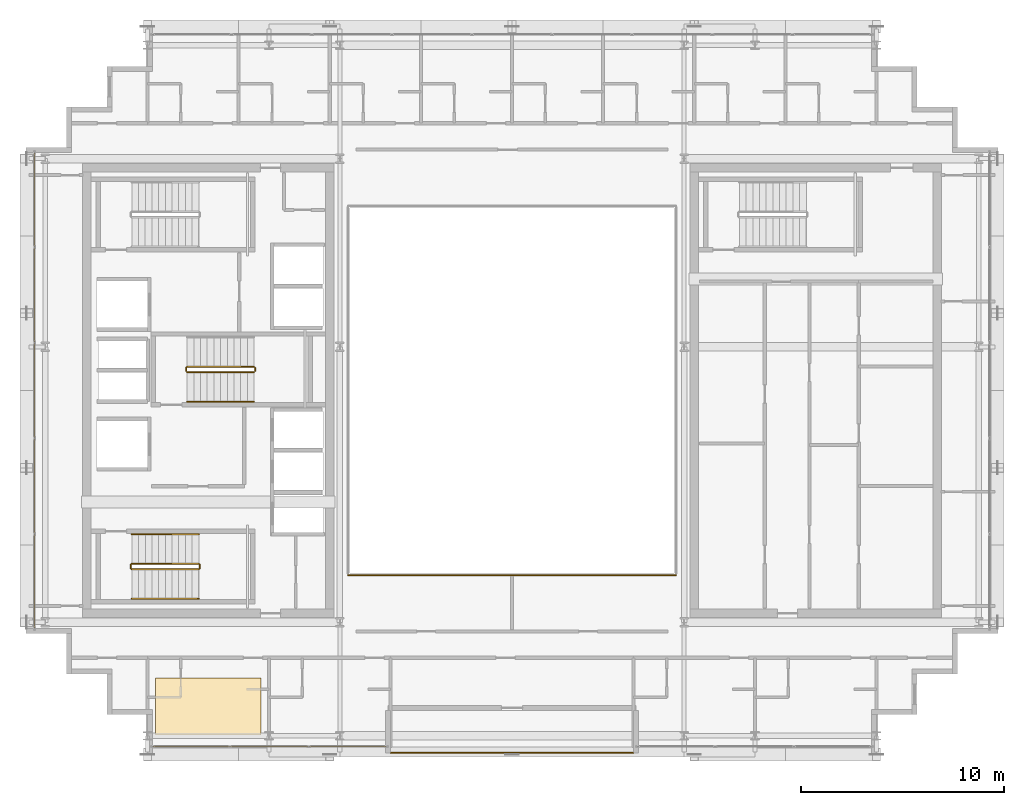
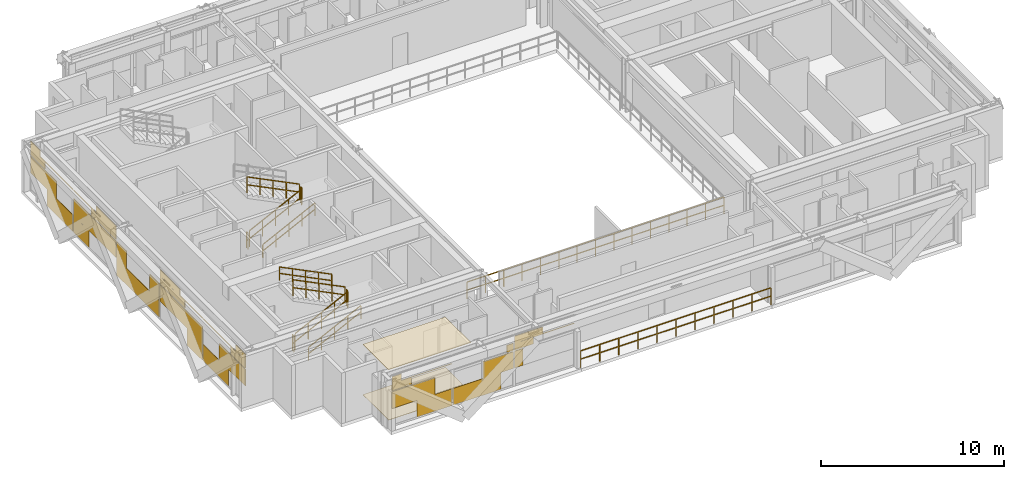
# One storey, part 25 of 28: 13 railings, 4 coverings.
"""IFC4 building model written with IfcOpenShell, lengths in metres."""

from ifc_helpers import new_model, si_unit, direction, frame, origin, origin_2d, place, context, subcontext, project, spatial, polyline, rectangle, outline, extrude, material, layer, layer_set, type_object, element, save


model = new_model("IFC4")

# Units and contexts
model_context = context("Model", 3, precision=1e-05, world=origin(), true_north=direction((0.0, 1.0)))
body_context = subcontext(model_context, "Body", "Model", "MODEL_VIEW")
ifc_project = project(units=[si_unit("LENGTHUNIT", "METRE"), si_unit("AREAUNIT", "SQUARE_METRE"), si_unit("VOLUMEUNIT", "CUBIC_METRE"), si_unit("PLANEANGLEUNIT", "RADIAN"), si_unit("MASSUNIT", "GRAM", prefix="KILO")], contexts=[model_context])

# Site, building, storey
site_placement = place(None, origin())
site = spatial("IfcSite", under=ifc_project, at=site_placement, CompositionType="ELEMENT")
building_placement = place(site_placement, origin())
building = spatial("IfcBuilding", under=site, at=building_placement, Name="Ocotamira Hotel", CompositionType="ELEMENT")
storey_placement = place(building_placement, frame((0.0, 0.0, 240.0)))
storey = spatial("IfcBuildingStorey", under=building, at=storey_placement, Name="L60", CompositionType="ELEMENT", Elevation=240.0)

# Coverings
ifc_material_1 = material(Name="Perforated acoustic gypsum ceiling board", Category="gypsum")
ifc_layer_1 = layer(ifc_material_1, 0.02490234375)
ifc_layer_set_1 = layer_set([ifc_layer_1], Name="Perforated acoustic gypsum ceiling board")
covering_type_1 = type_object("IfcCoveringType", Name="COV-CEIL-25", PredefinedType="CEILING", material=ifc_layer_set_1)
covering_1_placement = place(storey_placement, frame((0.0, 0.0, 3.35498046875)))
element("IfcCovering", 1, at=covering_1_placement, inside=storey, type_object=covering_type_1, Name="L60 Acoustic Ceiling", PredefinedType="CEILING", context=body_context, shape_type="SweptSolid", body=[
    extrude(outline(polyline([(14.39990234375, 9.0), (19.60009765625, 9.0), (19.60009765625, 11.800048828125), (14.39990234375, 11.800048828125), (14.39990234375, 9.0)])), origin(), (0.0, 0.0, 1.0), 0.02490234375),
])
ifc_material_2 = material(Name="Honed desert travertine stone flooring", Category="masonry")
ifc_layer_2 = layer(ifc_material_2, 0.030029296875)
ifc_layer_set_2 = layer_set([ifc_layer_2], Name="Honed desert travertine stone flooring")
covering_type_2 = type_object("IfcCoveringType", Name="COV-FLOR-30", PredefinedType="FLOORING", material=ifc_layer_set_2)
covering_2_placement = place(storey_placement, origin())
element("IfcCovering", 2, at=covering_2_placement, inside=storey, type_object=covering_type_2, Name="L60 Honed Stone Floor Finish", PredefinedType="FLOORING", context=body_context, shape_type="SweptSolid", body=[
    extrude(outline(polyline([(14.39990234375, 9.0), (19.60009765625, 9.0), (19.60009765625, 11.800048828125), (14.39990234375, 11.800048828125), (14.39990234375, 9.0)])), origin(), (0.0, 0.0, 1.0), 0.030029296875),
])
ifc_material_3 = material(Name="Insulated pale-metal aluminium spandrel panel", Category="aluminium")
ifc_layer_3 = layer(ifc_material_3, 0.044921875)
ifc_layer_set_3 = layer_set([ifc_layer_3], Name="Insulated pale-metal aluminium spandrel panel")
covering_type_3 = type_object("IfcCoveringType", Name="COV-INFILL-45", PredefinedType="CLADDING", material=ifc_layer_set_3)
covering_3_placement = place(storey_placement, origin())
element("IfcCovering", 3, at=covering_3_placement, inside=storey, type_object=covering_type_3, Name="L60 Curtain Wall Infill CW-5 CW-L60-S1", PredefinedType="CLADDING", context=body_context, shape_type="SweptSolid", body=[
    extrude(rectangle(XDim=2.69970703125, YDim=0.044921875, at=origin_2d()), frame((15.63037109375, 8.419921875, 1.1943359375), z_axis=(0.0, 0.0, 1.0), x_axis=(1.0, 0.0, 0.0)), (0.0, 0.0, 1.0), 1.117919921875),
    extrude(rectangle(XDim=2.182373046875, YDim=0.044921875, at=origin_2d()), frame((16.95166015625, 8.419921875, 0.07568359375), z_axis=(0.0, 0.0, 1.0), x_axis=(1.0, 0.0, 0.0)), (0.0, 0.0, 1.0), 1.117919921875),
    extrude(rectangle(XDim=1.20751953125, YDim=0.044921875, at=origin_2d()), frame((14.88427734375, 8.419921875, 2.3876953125), z_axis=(0.0, 0.0, 1.0), x_axis=(1.0, 0.0, 0.0)), (0.0, 0.0, 1.0), 0.449951171875),
    extrude(rectangle(XDim=3.76220703125, YDim=0.044921875, at=origin_2d()), frame((16.16162109375, 8.419921875, 2.8388671875), z_axis=(0.0, 0.0, 1.0), x_axis=(1.0, 0.0, 0.0)), (0.0, 0.0, 1.0), 0.032958984375),
    extrude(rectangle(XDim=0.601318359375, YDim=0.044921875, at=origin_2d()), frame((14.581298828125, 8.419921875, 2.872802734375), z_axis=(0.0, 0.0, 1.0), x_axis=(1.0, 0.0, 0.0)), (0.0, 0.0, 1.0), 0.431640625),
    extrude(rectangle(XDim=3.015625, YDim=0.044921875, at=origin_2d()), frame((19.631591796875, 8.419921875, 0.07568359375), z_axis=(0.0, 0.0, 1.0), x_axis=(1.0, 0.0, 0.0)), (0.0, 0.0, 1.0), 1.117919921875),
    extrude(rectangle(XDim=1.90625, YDim=0.044921875, at=origin_2d()), frame((20.972900390625, 8.419921875, 1.1943359375), z_axis=(0.0, 0.0, 1.0), x_axis=(1.0, 0.0, 0.0)), (0.0, 0.0, 1.0), 1.117919921875),
    extrude(rectangle(XDim=0.4140625, YDim=0.044921875, at=origin_2d()), frame((21.718994140625, 8.419921875, 2.387939453125), z_axis=(0.0, 0.0, 1.0), x_axis=(1.0, 0.0, 0.0)), (0.0, 0.0, 1.0), 0.48388671875),
    extrude(rectangle(XDim=0.53076171875, YDim=0.044921875, at=origin_2d()), frame((22.2724609375, 8.419921875, 1.1943359375), z_axis=(0.0, 0.0, 1.0), x_axis=(1.0, 0.0, 0.0)), (0.0, 0.0, 1.0), 1.117919921875),
    extrude(rectangle(XDim=1.18798828125, YDim=0.044921875, at=origin_2d()), frame((22.601318359375, 8.419921875, 2.3876953125), z_axis=(0.0, 0.0, 1.0), x_axis=(1.0, 0.0, 0.0)), (0.0, 0.0, 1.0), 0.449951171875),
    extrude(rectangle(XDim=3.76220703125, YDim=0.044921875, at=origin_2d()), frame((23.88818359375, 8.419921875, 2.8388671875), z_axis=(0.0, 0.0, 1.0), x_axis=(1.0, 0.0, 0.0)), (0.0, 0.0, 1.0), 0.032958984375),
    extrude(rectangle(XDim=1.787353515625, YDim=0.044921875, at=origin_2d()), frame((22.90087890625, 8.419921875, 2.872802734375), z_axis=(0.0, 0.0, 1.0), x_axis=(1.0, 0.0, 0.0)), (0.0, 0.0, 1.0), 0.431640625),
])
covering_4_placement = place(storey_placement, origin())
element("IfcCovering", 4, at=covering_4_placement, inside=storey, type_object=covering_type_3, Name="L60 Curtain Wall Infill CW-5 CW-L60-W", PredefinedType="CLADDING", context=body_context, shape_type="SweptSolid", body=[
    extrude(rectangle(XDim=2.831787109375, YDim=0.044921875, at=origin_2d()), frame((8.419921875, 15.6962890625, 1.1943359375), z_axis=(0.0, 0.0, 1.0), x_axis=(0.0, 1.0, 0.0)), (0.0, 0.0, 1.0), 1.117919921875),
    extrude(rectangle(XDim=2.786376953125, YDim=0.044921875, at=origin_2d()), frame((8.419921875, 17.486328125, 0.07568359375), z_axis=(0.0, 0.0, 1.0), x_axis=(0.0, 1.0, 0.0)), (0.0, 0.0, 1.0), 1.117919921875),
    extrude(rectangle(XDim=1.56640625, YDim=0.044921875, at=origin_2d()), frame((8.419921875, 15.063720703125, 2.38818359375), z_axis=(0.0, 0.0, 1.0), x_axis=(0.0, 1.0, 0.0)), (0.0, 0.0, 1.0), 0.466552734375),
    extrude(rectangle(XDim=4.59912109375, YDim=0.044921875, at=origin_2d()), frame((8.419921875, 16.580078125, 2.85546875), z_axis=(0.0, 0.0, 1.0), x_axis=(0.0, 1.0, 0.0)), (0.0, 0.0, 1.0), 0.036376953125),
    extrude(rectangle(XDim=1.03076171875, YDim=0.044921875, at=origin_2d()), frame((8.419921875, 14.7958984375, 2.89306640625), z_axis=(0.0, 0.0, 1.0), x_axis=(0.0, 1.0, 0.0)), (0.0, 0.0, 1.0), 0.41162109375),
    extrude(rectangle(XDim=1.6796875, YDim=0.044921875, at=origin_2d()), frame((8.419921875, 19.80029296875, 0.07568359375), z_axis=(0.0, 0.0, 1.0), x_axis=(0.0, 1.0, 0.0)), (0.0, 0.0, 1.0), 1.117919921875),
    extrude(rectangle(XDim=4.638916015625, YDim=0.044921875, at=origin_2d()), frame((8.419921875, 21.280029296875, 1.1943359375), z_axis=(0.0, 0.0, 1.0), x_axis=(0.0, 1.0, 0.0)), (0.0, 0.0, 1.0), 1.117919921875),
    extrude(rectangle(XDim=4.638916015625, YDim=0.044921875, at=origin_2d()), frame((8.419921875, 21.280029296875, 2.85546875), z_axis=(0.0, 0.0, 1.0), x_axis=(0.0, 1.0, 0.0)), (0.0, 0.0, 1.0), 0.036376953125),
    extrude(rectangle(XDim=2.712890625, YDim=0.044921875, at=origin_2d()), frame((8.419921875, 22.242919921875, 2.38818359375), z_axis=(0.0, 0.0, 1.0), x_axis=(0.0, 1.0, 0.0)), (0.0, 0.0, 1.0), 0.466552734375),
    extrude(rectangle(XDim=2.177490234375, YDim=0.044921875, at=origin_2d()), frame((8.419921875, 22.5107421875, 2.89306640625), z_axis=(0.0, 0.0, 1.0), x_axis=(0.0, 1.0, 0.0)), (0.0, 0.0, 1.0), 0.41162109375),
    extrude(rectangle(XDim=4.638916015625, YDim=0.044921875, at=origin_2d()), frame((8.419921875, 26.0, 0.07568359375), z_axis=(0.0, 0.0, 1.0), x_axis=(0.0, 1.0, 0.0)), (0.0, 0.0, 1.0), 1.117919921875),
    extrude(rectangle(XDim=1.065185546875, YDim=0.044921875, at=origin_2d()), frame((8.419921875, 24.213134765625, 1.1943359375), z_axis=(0.0, 0.0, 1.0), x_axis=(0.0, 1.0, 0.0)), (0.0, 0.0, 1.0), 1.117919921875),
    extrude(rectangle(XDim=1.065185546875, YDim=0.044921875, at=origin_2d()), frame((8.419921875, 27.786865234375, 1.1943359375), z_axis=(0.0, 0.0, 1.0), x_axis=(0.0, 1.0, 0.0)), (0.0, 0.0, 1.0), 1.117919921875),
    extrude(rectangle(XDim=4.638916015625, YDim=0.044921875, at=origin_2d()), frame((8.419921875, 30.719970703125, 1.1943359375), z_axis=(0.0, 0.0, 1.0), x_axis=(0.0, 1.0, 0.0)), (0.0, 0.0, 1.0), 1.117919921875),
    extrude(rectangle(XDim=1.6796875, YDim=0.044921875, at=origin_2d()), frame((8.419921875, 32.19970703125, 0.07568359375), z_axis=(0.0, 0.0, 1.0), x_axis=(0.0, 1.0, 0.0)), (0.0, 0.0, 1.0), 1.117919921875),
    extrude(rectangle(XDim=2.712890625, YDim=0.044921875, at=origin_2d()), frame((8.419921875, 29.757080078125, 2.38818359375), z_axis=(0.0, 0.0, 1.0), x_axis=(0.0, 1.0, 0.0)), (0.0, 0.0, 1.0), 0.466552734375),
    extrude(rectangle(XDim=4.638916015625, YDim=0.044921875, at=origin_2d()), frame((8.419921875, 30.719970703125, 2.85546875), z_axis=(0.0, 0.0, 1.0), x_axis=(0.0, 1.0, 0.0)), (0.0, 0.0, 1.0), 0.036376953125),
    extrude(rectangle(XDim=2.177490234375, YDim=0.044921875, at=origin_2d()), frame((8.419921875, 29.4892578125, 2.89306640625), z_axis=(0.0, 0.0, 1.0), x_axis=(0.0, 1.0, 0.0)), (0.0, 0.0, 1.0), 0.41162109375),
    extrude(rectangle(XDim=2.786376953125, YDim=0.044921875, at=origin_2d()), frame((8.419921875, 34.513671875, 0.07568359375), z_axis=(0.0, 0.0, 1.0), x_axis=(0.0, 1.0, 0.0)), (0.0, 0.0, 1.0), 1.117919921875),
    extrude(rectangle(XDim=2.831787109375, YDim=0.044921875, at=origin_2d()), frame((8.419921875, 36.3037109375, 1.1943359375), z_axis=(0.0, 0.0, 1.0), x_axis=(0.0, 1.0, 0.0)), (0.0, 0.0, 1.0), 1.117919921875),
    extrude(rectangle(XDim=4.59912109375, YDim=0.044921875, at=origin_2d()), frame((8.419921875, 35.419921875, 2.85546875), z_axis=(0.0, 0.0, 1.0), x_axis=(0.0, 1.0, 0.0)), (0.0, 0.0, 1.0), 0.036376953125),
    extrude(rectangle(XDim=1.56640625, YDim=0.044921875, at=origin_2d()), frame((8.419921875, 36.936279296875, 2.38818359375), z_axis=(0.0, 0.0, 1.0), x_axis=(0.0, 1.0, 0.0)), (0.0, 0.0, 1.0), 0.466552734375),
    extrude(rectangle(XDim=1.03076171875, YDim=0.044921875, at=origin_2d()), frame((8.419921875, 37.2041015625, 2.89306640625), z_axis=(0.0, 0.0, 1.0), x_axis=(0.0, 1.0, 0.0)), (0.0, 0.0, 1.0), 0.41162109375),
])

# Railings
ifc_material_4 = material(Name="Laminated glass and pale-metal balustrade", Category="glass")
railing_type_1 = type_object("IfcRailingType", Name="RL-BAL-1150", PredefinedType="BALUSTRADE", material=ifc_material_4)
railing_1_placement = place(storey_placement, frame((26.0, 8.10009765625, 0.0)))
element("IfcRailing", 5, at=railing_1_placement, inside=storey, type_object=railing_type_1, Name="L60 Sky Terrace Balustrade 1", PredefinedType="BALUSTRADE", context=body_context, shape_type="SweptSolid", body=[
    extrude(rectangle(XDim=0.048095703125, YDim=0.048095703125, at=origin_2d()), frame((0.0, 0.0, 1.1259765625), z_axis=(1.0, 0.0, 0.0), x_axis=(0.0, 1.0, 0.0)), (0.0, 0.0, 1.0), 12.0),
    extrude(rectangle(XDim=0.048095703125, YDim=0.048095703125, at=origin_2d()), frame((0.0, 0.0, 0.574951171875), z_axis=(1.0, 0.0, 0.0), x_axis=(0.0, 1.0, 0.0)), (0.0, 0.0, 1.0), 12.0),
    extrude(rectangle(XDim=0.0419921875, YDim=0.0419921875, at=origin_2d()), origin(), (0.0, 0.0, 1.0), 1.101806640625),
    extrude(rectangle(XDim=0.0419921875, YDim=0.0419921875, at=origin_2d()), frame((1.199951171875, 0.0, 0.0)), (0.0, 0.0, 1.0), 1.101806640625),
    extrude(rectangle(XDim=0.0419921875, YDim=0.0419921875, at=origin_2d()), frame((2.39990234375, 0.0, 0.0)), (0.0, 0.0, 1.0), 1.101806640625),
    extrude(rectangle(XDim=0.0419921875, YDim=0.0419921875, at=origin_2d()), frame((3.60009765625, 0.0, 0.0)), (0.0, 0.0, 1.0), 1.101806640625),
    extrude(rectangle(XDim=0.0419921875, YDim=0.0419921875, at=origin_2d()), frame((4.800048828125, 0.0, 0.0)), (0.0, 0.0, 1.0), 1.101806640625),
    extrude(rectangle(XDim=0.0419921875, YDim=0.0419921875, at=origin_2d()), frame((6.0, 0.0, 0.0)), (0.0, 0.0, 1.0), 1.101806640625),
    extrude(rectangle(XDim=0.0419921875, YDim=0.0419921875, at=origin_2d()), frame((7.199951171875, 0.0, 0.0)), (0.0, 0.0, 1.0), 1.101806640625),
    extrude(rectangle(XDim=0.0419921875, YDim=0.0419921875, at=origin_2d()), frame((8.39990234375, 0.0, 0.0)), (0.0, 0.0, 1.0), 1.101806640625),
    extrude(rectangle(XDim=0.0419921875, YDim=0.0419921875, at=origin_2d()), frame((9.60009765625, 0.0, 0.0)), (0.0, 0.0, 1.0), 1.101806640625),
    extrude(rectangle(XDim=0.0419921875, YDim=0.0419921875, at=origin_2d()), frame((10.800048828125, 0.0, 0.0)), (0.0, 0.0, 1.0), 1.101806640625),
    extrude(rectangle(XDim=0.0419921875, YDim=0.0419921875, at=origin_2d()), frame((12.0, 0.0, 0.0)), (0.0, 0.0, 1.0), 1.101806640625),
])
ifc_material_5 = material(Name="Painted steel stair guardrail", Category="steel")
railing_type_2 = type_object("IfcRailingType", Name="RL-EDGE-1150", PredefinedType="GUARDRAIL", material=ifc_material_5)
railing_2_placement = place(storey_placement, frame((23.89990234375, 16.8798828125, 0.0)))
element("IfcRailing", 6, at=railing_2_placement, inside=storey, type_object=railing_type_2, Name="L60 Central Atrium Edge Guardrail S", PredefinedType="GUARDRAIL", context=body_context, shape_type="SweptSolid", body=[
    extrude(rectangle(XDim=0.048095703125, YDim=0.048095703125, at=origin_2d()), frame((0.0, 0.0, 1.1259765625), z_axis=(1.0, 0.0, 0.0), x_axis=(0.0, 1.0, 0.0)), (0.0, 0.0, 1.0), 16.2001953125),
    extrude(rectangle(XDim=0.048095703125, YDim=0.048095703125, at=origin_2d()), frame((0.0, 0.0, 0.574951171875), z_axis=(1.0, 0.0, 0.0), x_axis=(0.0, 1.0, 0.0)), (0.0, 0.0, 1.0), 16.2001953125),
    extrude(rectangle(XDim=0.0419921875, YDim=0.0419921875, at=origin_2d()), origin(), (0.0, 0.0, 1.0), 1.101806640625),
    extrude(rectangle(XDim=0.0419921875, YDim=0.0419921875, at=origin_2d()), frame((1.1572265625, 0.0, 0.0)), (0.0, 0.0, 1.0), 1.101806640625),
    extrude(rectangle(XDim=0.0419921875, YDim=0.0419921875, at=origin_2d()), frame((2.314208984375, 0.0, 0.0)), (0.0, 0.0, 1.0), 1.101806640625),
    extrude(rectangle(XDim=0.0419921875, YDim=0.0419921875, at=origin_2d()), frame((3.471435546875, 0.0, 0.0)), (0.0, 0.0, 1.0), 1.101806640625),
    extrude(rectangle(XDim=0.0419921875, YDim=0.0419921875, at=origin_2d()), frame((4.628662109375, 0.0, 0.0)), (0.0, 0.0, 1.0), 1.101806640625),
    extrude(rectangle(XDim=0.0419921875, YDim=0.0419921875, at=origin_2d()), frame((5.785888671875, 0.0, 0.0)), (0.0, 0.0, 1.0), 1.101806640625),
    extrude(rectangle(XDim=0.0419921875, YDim=0.0419921875, at=origin_2d()), frame((6.94287109375, 0.0, 0.0)), (0.0, 0.0, 1.0), 1.101806640625),
    extrude(rectangle(XDim=0.0419921875, YDim=0.0419921875, at=origin_2d()), frame((8.10009765625, 0.0, 0.0)), (0.0, 0.0, 1.0), 1.101806640625),
    extrude(rectangle(XDim=0.0419921875, YDim=0.0419921875, at=origin_2d()), frame((9.25732421875, 0.0, 0.0)), (0.0, 0.0, 1.0), 1.101806640625),
    extrude(rectangle(XDim=0.0419921875, YDim=0.0419921875, at=origin_2d()), frame((10.414306640625, 0.0, 0.0)), (0.0, 0.0, 1.0), 1.101806640625),
    extrude(rectangle(XDim=0.0419921875, YDim=0.0419921875, at=origin_2d()), frame((11.571533203125, 0.0, 0.0)), (0.0, 0.0, 1.0), 1.101806640625),
    extrude(rectangle(XDim=0.0419921875, YDim=0.0419921875, at=origin_2d()), frame((12.728759765625, 0.0, 0.0)), (0.0, 0.0, 1.0), 1.101806640625),
    extrude(rectangle(XDim=0.0419921875, YDim=0.0419921875, at=origin_2d()), frame((13.885986328125, 0.0, 0.0)), (0.0, 0.0, 1.0), 1.101806640625),
    extrude(rectangle(XDim=0.0419921875, YDim=0.0419921875, at=origin_2d()), frame((15.04296875, 0.0, 0.0)), (0.0, 0.0, 1.0), 1.101806640625),
    extrude(rectangle(XDim=0.0419921875, YDim=0.0419921875, at=origin_2d()), frame((16.2001953125, 0.0, 0.0)), (0.0, 0.0, 1.0), 1.101806640625),
])
ifc_material_6 = material(Name="Brushed stainless steel handrail", Category="steel")
railing_type_3 = type_object("IfcRailingType", Name="RL-HAND-900", PredefinedType="HANDRAIL", material=ifc_material_6)
railing_3_placement = place(storey_placement, frame((13.22998046875, 15.719970703125, 0.327392578125)))
element("IfcRailing", 7, at=railing_3_placement, inside=storey, type_object=railing_type_3, Name="L60 ST-1 stair handrail 1", PredefinedType="HANDRAIL", context=body_context, shape_type="SweptSolid", body=[
    extrude(rectangle(XDim=0.048095703125, YDim=0.048095703125, at=origin_2d()), frame((0.0, 0.0, 0.8759765625), z_axis=(0.895920123917, 0.0, 0.444215186098), x_axis=(0.0, 1.0, 0.0)), (0.0, 0.0, 1.0), 3.683349609375),
    extrude(rectangle(XDim=0.048095703125, YDim=0.048095703125, at=origin_2d()), frame((0.0, 0.0, 0.449951171875), z_axis=(0.895920123917, 0.0, 0.444215186098), x_axis=(0.0, 1.0, 0.0)), (0.0, 0.0, 1.0), 3.683349609375),
    extrude(rectangle(XDim=0.0419921875, YDim=0.0419921875, at=origin_2d()), origin(), (0.0, 0.0, 1.0), 0.851806640625),
    extrude(rectangle(XDim=0.0419921875, YDim=0.0419921875, at=origin_2d()), frame((0.824951171875, 0.0, 0.4091796875)), (0.0, 0.0, 1.0), 0.851806640625),
    extrude(rectangle(XDim=0.0419921875, YDim=0.0419921875, at=origin_2d()), frame((1.64990234375, 0.0, 0.818115234375)), (0.0, 0.0, 1.0), 0.851806640625),
    extrude(rectangle(XDim=0.0419921875, YDim=0.0419921875, at=origin_2d()), frame((2.47509765625, 0.0, 1.22705078125)), (0.0, 0.0, 1.0), 0.851806640625),
    extrude(rectangle(XDim=0.0419921875, YDim=0.0419921875, at=origin_2d()), frame((3.300048828125, 0.0, 1.63623046875)), (0.0, 0.0, 1.0), 0.851806640625),
])
railing_4_placement = place(storey_placement, frame((16.530029296875, 18.89990234375, 2.127197265625)))
element("IfcRailing", 8, at=railing_4_placement, inside=storey, type_object=railing_type_3, Name="L60 ST-1 stair handrail 2", PredefinedType="HANDRAIL", context=body_context, shape_type="SweptSolid", body=[
    extrude(rectangle(XDim=0.048095703125, YDim=0.048095703125, at=origin_2d()), frame((0.0, 0.0, 0.8759765625), z_axis=(-0.895893744519, 0.0, 0.4442683857), x_axis=(0.0, -1.0, 0.0)), (0.0, 0.0, 1.0), 3.68359375),
    extrude(rectangle(XDim=0.048095703125, YDim=0.048095703125, at=origin_2d()), frame((0.0, 0.0, 0.449951171875), z_axis=(-0.895893744519, 0.0, 0.4442683857), x_axis=(0.0, -1.0, 0.0)), (0.0, 0.0, 1.0), 3.68359375),
    extrude(rectangle(XDim=0.0419921875, YDim=0.0419921875, at=origin_2d()), origin(), (0.0, 0.0, 1.0), 0.851806640625),
    extrude(rectangle(XDim=0.0419921875, YDim=0.0419921875, at=origin_2d()), frame((-0.824951171875, 0.0, 0.4091796875)), (0.0, 0.0, 1.0), 0.851806640625),
    extrude(rectangle(XDim=0.0419921875, YDim=0.0419921875, at=origin_2d()), frame((-1.64990234375, 0.0, 0.818359375)), (0.0, 0.0, 1.0), 0.851806640625),
    extrude(rectangle(XDim=0.0419921875, YDim=0.0419921875, at=origin_2d()), frame((-2.47509765625, 0.0, 1.227294921875)), (0.0, 0.0, 1.0), 0.851806640625),
    extrude(rectangle(XDim=0.0419921875, YDim=0.0419921875, at=origin_2d()), frame((-3.300048828125, 0.0, 1.636474609375)), (0.0, 0.0, 1.0), 0.851806640625),
])
railing_5_placement = place(storey_placement, frame((15.9599609375, 25.449951171875, 0.327392578125)))
element("IfcRailing", 9, at=railing_5_placement, inside=storey, type_object=railing_type_3, Name="L60 ST-3 stair handrail 1", PredefinedType="HANDRAIL", context=body_context, shape_type="SweptSolid", body=[
    extrude(rectangle(XDim=0.048095703125, YDim=0.048095703125, at=origin_2d()), frame((0.0, 0.0, 0.8759765625), z_axis=(0.895920123917, 0.0, 0.444215186098), x_axis=(0.0, 1.0, 0.0)), (0.0, 0.0, 1.0), 3.683349609375),
    extrude(rectangle(XDim=0.048095703125, YDim=0.048095703125, at=origin_2d()), frame((0.0, 0.0, 0.449951171875), z_axis=(0.895920123917, 0.0, 0.444215186098), x_axis=(0.0, 1.0, 0.0)), (0.0, 0.0, 1.0), 3.683349609375),
    extrude(rectangle(XDim=0.0419921875, YDim=0.0419921875, at=origin_2d()), origin(), (0.0, 0.0, 1.0), 0.851806640625),
    extrude(rectangle(XDim=0.0419921875, YDim=0.0419921875, at=origin_2d()), frame((0.824951171875, 0.0, 0.4091796875)), (0.0, 0.0, 1.0), 0.851806640625),
    extrude(rectangle(XDim=0.0419921875, YDim=0.0419921875, at=origin_2d()), frame((1.64990234375, 0.0, 0.818115234375)), (0.0, 0.0, 1.0), 0.851806640625),
    extrude(rectangle(XDim=0.0419921875, YDim=0.0419921875, at=origin_2d()), frame((2.47509765625, 0.0, 1.22705078125)), (0.0, 0.0, 1.0), 0.851806640625),
    extrude(rectangle(XDim=0.0419921875, YDim=0.0419921875, at=origin_2d()), frame((3.300048828125, 0.0, 1.63623046875)), (0.0, 0.0, 1.0), 0.851806640625),
])
railing_type_4 = type_object("IfcRailingType", Name="RL-STAIR-1100", PredefinedType="GUARDRAIL", material=ifc_material_5)
railing_6_placement = place(storey_placement, frame((13.22998046875, 17.179931640625, 0.16357421875)))
element("IfcRailing", 10, at=railing_6_placement, inside=storey, type_object=railing_type_4, Name="L60 ST-1 stair guard 1", PredefinedType="GUARDRAIL", context=body_context, shape_type="SweptSolid", body=[
    extrude(rectangle(XDim=0.048095703125, YDim=0.048095703125, at=origin_2d()), frame((0.0, 0.0, 1.076171875), z_axis=(0.895893744519, 0.0, 0.4442683857), x_axis=(0.0, 1.0, 0.0)), (0.0, 0.0, 1.0), 3.68359375),
    extrude(rectangle(XDim=0.048095703125, YDim=0.048095703125, at=origin_2d()), frame((0.0, 0.0, 0.550048828125), z_axis=(0.895893744519, 0.0, 0.4442683857), x_axis=(0.0, 1.0, 0.0)), (0.0, 0.0, 1.0), 3.68359375),
    extrude(rectangle(XDim=0.0419921875, YDim=0.0419921875, at=origin_2d()), origin(), (0.0, 0.0, 1.0), 1.052001953125),
    extrude(rectangle(XDim=0.0419921875, YDim=0.0419921875, at=origin_2d()), frame((0.824951171875, 0.0, 0.4091796875)), (0.0, 0.0, 1.0), 1.052001953125),
    extrude(rectangle(XDim=0.0419921875, YDim=0.0419921875, at=origin_2d()), frame((1.64990234375, 0.0, 0.818359375)), (0.0, 0.0, 1.0), 1.052001953125),
    extrude(rectangle(XDim=0.0419921875, YDim=0.0419921875, at=origin_2d()), frame((2.47509765625, 0.0, 1.227294921875)), (0.0, 0.0, 1.0), 1.052001953125),
    extrude(rectangle(XDim=0.0419921875, YDim=0.0419921875, at=origin_2d()), frame((3.300048828125, 0.0, 1.636474609375)), (0.0, 0.0, 1.0), 1.052001953125),
])
railing_7_placement = place(storey_placement, frame((16.580078125, 17.22998046875, 1.800048828125)))
element("IfcRailing", 11, at=railing_7_placement, inside=storey, type_object=railing_type_4, Name="L60 ST-1 stair guard 2", PredefinedType="GUARDRAIL", context=body_context, shape_type="SweptSolid", body=[
    extrude(rectangle(XDim=0.048095703125, YDim=0.048095703125, at=origin_2d()), frame((0.0, 0.0, 1.076171875), z_axis=(0.0, 1.0, 0.0), x_axis=(-1.0, 0.0, 0.0)), (0.0, 0.0, 1.0), 0.159912109375),
    extrude(rectangle(XDim=0.048095703125, YDim=0.048095703125, at=origin_2d()), frame((0.0, 0.0, 0.550048828125), z_axis=(0.0, 1.0, 0.0), x_axis=(-1.0, 0.0, 0.0)), (0.0, 0.0, 1.0), 0.159912109375),
    extrude(rectangle(XDim=0.0419921875, YDim=0.0419921875, at=origin_2d()), origin(), (0.0, 0.0, 1.0), 1.052001953125),
    extrude(rectangle(XDim=0.0419921875, YDim=0.0419921875, at=origin_2d()), frame((0.0, 0.159912109375, 0.0)), (0.0, 0.0, 1.0), 1.052001953125),
])
railing_8_placement = place(storey_placement, frame((16.530029296875, 17.43994140625, 1.963623046875)))
element("IfcRailing", 12, at=railing_8_placement, inside=storey, type_object=railing_type_4, Name="L60 ST-1 stair guard 3", PredefinedType="GUARDRAIL", context=body_context, shape_type="SweptSolid", body=[
    extrude(rectangle(XDim=0.048095703125, YDim=0.048095703125, at=origin_2d()), frame((0.0, 0.0, 1.076171875), z_axis=(-0.895893744519, 0.0, 0.4442683857), x_axis=(0.0, -1.0, 0.0)), (0.0, 0.0, 1.0), 3.68359375),
    extrude(rectangle(XDim=0.048095703125, YDim=0.048095703125, at=origin_2d()), frame((0.0, 0.0, 0.550048828125), z_axis=(-0.895893744519, 0.0, 0.4442683857), x_axis=(0.0, -1.0, 0.0)), (0.0, 0.0, 1.0), 3.68359375),
    extrude(rectangle(XDim=0.0419921875, YDim=0.0419921875, at=origin_2d()), origin(), (0.0, 0.0, 1.0), 1.052001953125),
    extrude(rectangle(XDim=0.0419921875, YDim=0.0419921875, at=origin_2d()), frame((-0.824951171875, 0.0, 0.4091796875)), (0.0, 0.0, 1.0), 1.052001953125),
    extrude(rectangle(XDim=0.0419921875, YDim=0.0419921875, at=origin_2d()), frame((-1.64990234375, 0.0, 0.818359375)), (0.0, 0.0, 1.0), 1.052001953125),
    extrude(rectangle(XDim=0.0419921875, YDim=0.0419921875, at=origin_2d()), frame((-2.47509765625, 0.0, 1.227294921875)), (0.0, 0.0, 1.0), 1.052001953125),
    extrude(rectangle(XDim=0.0419921875, YDim=0.0419921875, at=origin_2d()), frame((-3.300048828125, 0.0, 1.636474609375)), (0.0, 0.0, 1.0), 1.052001953125),
])
railing_9_placement = place(storey_placement, frame((13.179931640625, 17.22998046875, 0.0)))
element("IfcRailing", 13, at=railing_9_placement, inside=storey, type_object=railing_type_4, Name="L60 ST-1 stair guard 4", PredefinedType="GUARDRAIL", context=body_context, shape_type="SweptSolid", body=[
    extrude(rectangle(XDim=0.048095703125, YDim=0.048095703125, at=origin_2d()), frame((0.0, 0.0, 1.076171875), z_axis=(0.0, 1.0, 0.0), x_axis=(-1.0, 0.0, 0.0)), (0.0, 0.0, 1.0), 0.159912109375),
    extrude(rectangle(XDim=0.048095703125, YDim=0.048095703125, at=origin_2d()), frame((0.0, 0.0, 0.550048828125), z_axis=(0.0, 1.0, 0.0), x_axis=(-1.0, 0.0, 0.0)), (0.0, 0.0, 1.0), 0.159912109375),
    extrude(rectangle(XDim=0.0419921875, YDim=0.0419921875, at=origin_2d()), origin(), (0.0, 0.0, 1.0), 1.052001953125),
    extrude(rectangle(XDim=0.0419921875, YDim=0.0419921875, at=origin_2d()), frame((0.0, 0.159912109375, 0.0)), (0.0, 0.0, 1.0), 1.052001953125),
])
railing_10_placement = place(storey_placement, frame((15.9599609375, 26.909912109375, 0.16357421875)))
element("IfcRailing", 14, at=railing_10_placement, inside=storey, type_object=railing_type_4, Name="L60 ST-3 stair guard 1", PredefinedType="GUARDRAIL", context=body_context, shape_type="SweptSolid", body=[
    extrude(rectangle(XDim=0.048095703125, YDim=0.048095703125, at=origin_2d()), frame((0.0, 0.0, 1.076171875), z_axis=(0.895893744519, 0.0, 0.4442683857), x_axis=(0.0, 1.0, 0.0)), (0.0, 0.0, 1.0), 3.68359375),
    extrude(rectangle(XDim=0.048095703125, YDim=0.048095703125, at=origin_2d()), frame((0.0, 0.0, 0.550048828125), z_axis=(0.895893744519, 0.0, 0.4442683857), x_axis=(0.0, 1.0, 0.0)), (0.0, 0.0, 1.0), 3.68359375),
    extrude(rectangle(XDim=0.0419921875, YDim=0.0419921875, at=origin_2d()), origin(), (0.0, 0.0, 1.0), 1.052001953125),
    extrude(rectangle(XDim=0.0419921875, YDim=0.0419921875, at=origin_2d()), frame((0.824951171875, 0.0, 0.4091796875)), (0.0, 0.0, 1.0), 1.052001953125),
    extrude(rectangle(XDim=0.0419921875, YDim=0.0419921875, at=origin_2d()), frame((1.64990234375, 0.0, 0.818359375)), (0.0, 0.0, 1.0), 1.052001953125),
    extrude(rectangle(XDim=0.0419921875, YDim=0.0419921875, at=origin_2d()), frame((2.47509765625, 0.0, 1.227294921875)), (0.0, 0.0, 1.0), 1.052001953125),
    extrude(rectangle(XDim=0.0419921875, YDim=0.0419921875, at=origin_2d()), frame((3.300048828125, 0.0, 1.636474609375)), (0.0, 0.0, 1.0), 1.052001953125),
])
railing_11_placement = place(storey_placement, frame((19.31005859375, 26.9599609375, 1.800048828125)))
element("IfcRailing", 15, at=railing_11_placement, inside=storey, type_object=railing_type_4, Name="L60 ST-3 stair guard 2", PredefinedType="GUARDRAIL", context=body_context, shape_type="SweptSolid", body=[
    extrude(rectangle(XDim=0.048095703125, YDim=0.048095703125, at=origin_2d()), frame((0.0, 0.0, 1.076171875), z_axis=(0.0, 1.0, 0.0), x_axis=(-1.0, 0.0, 0.0)), (0.0, 0.0, 1.0), 0.16015625),
    extrude(rectangle(XDim=0.048095703125, YDim=0.048095703125, at=origin_2d()), frame((0.0, 0.0, 0.550048828125), z_axis=(0.0, 1.0, 0.0), x_axis=(-1.0, 0.0, 0.0)), (0.0, 0.0, 1.0), 0.16015625),
    extrude(rectangle(XDim=0.0419921875, YDim=0.0419921875, at=origin_2d()), origin(), (0.0, 0.0, 1.0), 1.052001953125),
    extrude(rectangle(XDim=0.0419921875, YDim=0.0419921875, at=origin_2d()), frame((0.0, 0.16015625, 0.0)), (0.0, 0.0, 1.0), 1.052001953125),
])
railing_12_placement = place(storey_placement, frame((19.260009765625, 27.169921875, 1.963623046875)))
element("IfcRailing", 16, at=railing_12_placement, inside=storey, type_object=railing_type_4, Name="L60 ST-3 stair guard 3", PredefinedType="GUARDRAIL", context=body_context, shape_type="SweptSolid", body=[
    extrude(rectangle(XDim=0.048095703125, YDim=0.048095703125, at=origin_2d()), frame((0.0, 0.0, 1.076171875), z_axis=(-0.895893744519, 0.0, 0.4442683857), x_axis=(0.0, -1.0, 0.0)), (0.0, 0.0, 1.0), 3.68359375),
    extrude(rectangle(XDim=0.048095703125, YDim=0.048095703125, at=origin_2d()), frame((0.0, 0.0, 0.550048828125), z_axis=(-0.895893744519, 0.0, 0.4442683857), x_axis=(0.0, -1.0, 0.0)), (0.0, 0.0, 1.0), 3.68359375),
    extrude(rectangle(XDim=0.0419921875, YDim=0.0419921875, at=origin_2d()), origin(), (0.0, 0.0, 1.0), 1.052001953125),
    extrude(rectangle(XDim=0.0419921875, YDim=0.0419921875, at=origin_2d()), frame((-0.824951171875, 0.0, 0.4091796875)), (0.0, 0.0, 1.0), 1.052001953125),
    extrude(rectangle(XDim=0.0419921875, YDim=0.0419921875, at=origin_2d()), frame((-1.64990234375, 0.0, 0.818359375)), (0.0, 0.0, 1.0), 1.052001953125),
    extrude(rectangle(XDim=0.0419921875, YDim=0.0419921875, at=origin_2d()), frame((-2.47509765625, 0.0, 1.227294921875)), (0.0, 0.0, 1.0), 1.052001953125),
    extrude(rectangle(XDim=0.0419921875, YDim=0.0419921875, at=origin_2d()), frame((-3.300048828125, 0.0, 1.636474609375)), (0.0, 0.0, 1.0), 1.052001953125),
])
railing_13_placement = place(storey_placement, frame((15.909912109375, 26.9599609375, 0.0)))
element("IfcRailing", 17, at=railing_13_placement, inside=storey, type_object=railing_type_4, Name="L60 ST-3 stair guard 4", PredefinedType="GUARDRAIL", context=body_context, shape_type="SweptSolid", body=[
    extrude(rectangle(XDim=0.048095703125, YDim=0.048095703125, at=origin_2d()), frame((0.0, 0.0, 1.076171875), z_axis=(0.0, 1.0, 0.0), x_axis=(-1.0, 0.0, 0.0)), (0.0, 0.0, 1.0), 0.16015625),
    extrude(rectangle(XDim=0.048095703125, YDim=0.048095703125, at=origin_2d()), frame((0.0, 0.0, 0.550048828125), z_axis=(0.0, 1.0, 0.0), x_axis=(-1.0, 0.0, 0.0)), (0.0, 0.0, 1.0), 0.16015625),
    extrude(rectangle(XDim=0.0419921875, YDim=0.0419921875, at=origin_2d()), origin(), (0.0, 0.0, 1.0), 1.052001953125),
    extrude(rectangle(XDim=0.0419921875, YDim=0.0419921875, at=origin_2d()), frame((0.0, 0.16015625, 0.0)), (0.0, 0.0, 1.0), 1.052001953125),
])

save(model, "model.ifc")
